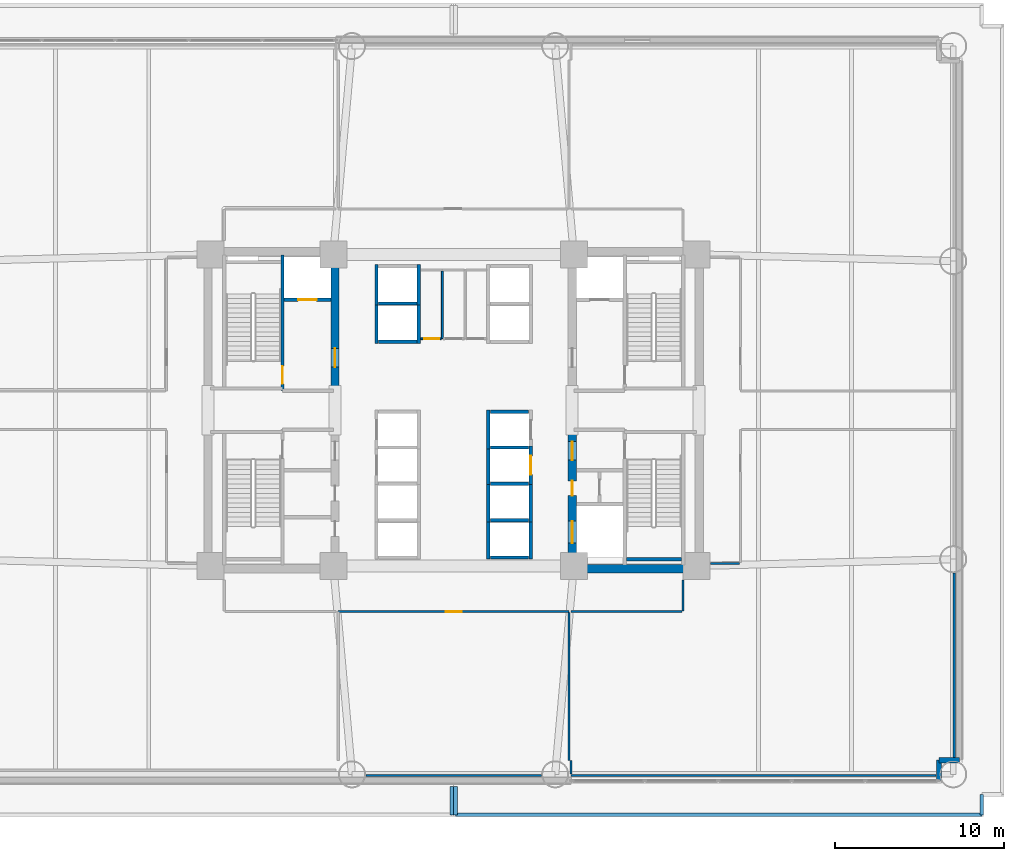
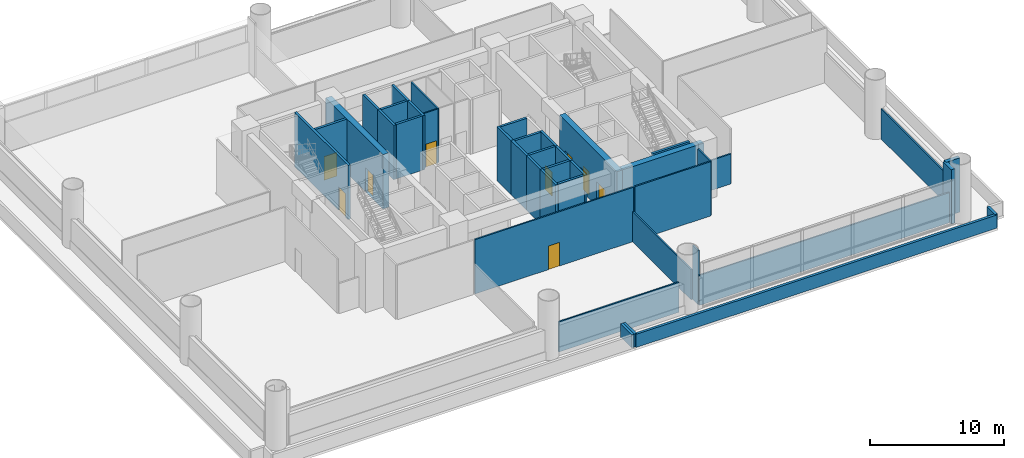
# One storey, part 6 of 12: 41 walls, 9 doors, 9 openings.
"""IFC4 building model written with IfcOpenShell, lengths in metres."""

from ifc_helpers import new_model, si_unit, direction, frame, frame_2d, origin, place, context, subcontext, project, spatial, rectangle, extrude, source, transform, mapped, material, layer, layer_set, type_object, element, fill, save


model = new_model("IFC4")

# Units and contexts
model_context = context("Model", 3, precision=1e-05, world=origin(), true_north=direction((0.0, 1.0)))
body_context = subcontext(model_context, "Body", "Model", "MODEL_VIEW")
ifc_project = project(units=[si_unit("LENGTHUNIT", "METRE"), si_unit("AREAUNIT", "SQUARE_METRE"), si_unit("VOLUMEUNIT", "CUBIC_METRE"), si_unit("PLANEANGLEUNIT", "RADIAN"), si_unit("MASSUNIT", "GRAM", prefix="KILO")], contexts=[model_context])

# Site, building, storey
site_placement = place(None, origin())
site = spatial("IfcSite", under=ifc_project, at=site_placement, CompositionType="ELEMENT")
building_placement = place(site_placement, origin())
building = spatial("IfcBuilding", under=site, at=building_placement, Name="Zahravan Cultural Tower", CompositionType="ELEMENT")
storey_placement = place(building_placement, frame((0.0, 0.0, 18.0)))
storey = spatial("IfcBuildingStorey", under=building, at=storey_placement, Name="L03", CompositionType="ELEMENT", Elevation=18.0)

# Wall, opening, door
ifc_material_1 = material(Name="Concrete C60/75", Category="concrete")
ifc_layer_1 = layer(ifc_material_1, 0.5)
ifc_layer_set_1 = layer_set([ifc_layer_1], Name="Concrete C60/75")
wall_type_1 = type_object("IfcWallType", Name="CW-SHEAR-500-C60", PredefinedType="SHEAR", material=ifc_layer_set_1)
wall_1_placement = place(storey_placement, frame((29.0, 28.050048828125, 0.0), z_axis=(0.0, 0.0, 1.0), x_axis=(0.0, 1.0, 0.0)))
wall_1 = element("IfcWall", 1, at=wall_1_placement, inside=storey, type_object=wall_type_1, Name="L03 Core Shear Wall CW-W-EN-L03", PredefinedType="SHEAR", context=body_context, shape_type="SweptSolid", body=[
    extrude(rectangle(XDim=8.550048828125, YDim=0.5, at=frame_2d((4.27490234375, 0.0))), origin(), (0.0, 0.0, 1.0), 4.949951171875),
])
opening_1_placement = place(wall_1_placement, frame((1.5, 0.0, 0.0)))
opening_1 = element("IfcOpeningElement", 2, at=opening_1_placement, cuts=wall_1, Name="Opening D-L03-05", PredefinedType="OPENING", context=body_context, shape_type="SweptSolid", body=[
    extrude(rectangle(XDim=1.10009765625, YDim=2.199951171875, at=frame_2d((0.550048828125, 1.10009765625))), frame((0.0, 0.260009765625, 0.0), z_axis=(0.0, -1.0, 0.0), x_axis=(1.0, 0.0, 0.0)), (0.0, 0.0, 1.0), 0.52001953125),
])
ifc_material_2 = material(Name="Steel ASTM A572 Grade 50", Category="steel")
door_type_1 = type_object("IfcDoorType", Name="DR-LOBBY-1100", OperationType="NOTDEFINED", PredefinedType="DOOR", material=ifc_material_2)
shared_shape_1 = source(origin(), body_context, "Body", "SweptSolid", [
    extrude(rectangle(XDim=1.10009765625, YDim=2.199951171875, at=frame_2d((0.550048828125, 1.10009765625))), frame((0.0, 0.02490234375, 0.0), z_axis=(0.0, -1.0, 0.0), x_axis=(1.0, 0.0, 0.0)), (0.0, 0.0, 1.0), 0.050048828125),
])
door_1_placement = place(opening_1_placement, origin())
door_1 = element("IfcDoor", 3, at=door_1_placement, inside=storey, type_object=door_type_1, Name="L03 Door D-L03-05", OperationType="SINGLE_SWING_LEFT", OverallHeight=2.199951171875, OverallWidth=1.10009765625, PredefinedType="DOOR", context=body_context, shape_type="MappedRepresentation", body=[
    mapped(shared_shape_1, transform((0.0, 0.0, 0.0), x_axis=(1.0, 0.0, 0.0), y_axis=(0.0, 1.0, 0.0), z_axis=(0.0, 0.0, 1.0), scale=1.0)),
])
fill(opening_1, door_1)

# Wall, openings, doors
wall_2_placement = place(storey_placement, frame((43.0, 17.39990234375, 0.0), z_axis=(0.0, 0.0, 1.0), x_axis=(0.0, 1.0, 0.0)))
wall_2 = element("IfcWall", 4, at=wall_2_placement, inside=storey, type_object=wall_type_1, Name="L03 Core Shear Wall CW-E-WS-L03", PredefinedType="SHEAR", context=body_context, shape_type="SweptSolid", body=[
    extrude(rectangle(XDim=8.550048828125, YDim=0.5, at=frame_2d((4.27490234375, 0.0))), origin(), (0.0, 0.0, 1.0), 4.949951171875),
])
opening_2_placement = place(wall_2_placement, frame((6.64990234375, 0.0, 0.0)))
opening_2 = element("IfcOpeningElement", 5, at=opening_2_placement, cuts=wall_2, Name="Opening D-L03-08", PredefinedType="OPENING", context=body_context, shape_type="SweptSolid", body=[
    extrude(rectangle(XDim=1.10009765625, YDim=2.199951171875, at=frame_2d((0.550048828125, 1.10009765625))), frame((0.0, 0.260009765625, 0.0), z_axis=(0.0, -1.0, 0.0), x_axis=(1.0, 0.0, 0.0)), (0.0, 0.0, 1.0), 0.52001953125),
])
opening_3_placement = place(wall_2_placement, frame((1.75, 0.0, 0.0)))
opening_3 = element("IfcOpeningElement", 6, at=opening_3_placement, cuts=wall_2, Name="Opening LD-L03-03", PredefinedType="OPENING", context=body_context, shape_type="SweptSolid", body=[
    extrude(rectangle(XDim=1.300048828125, YDim=2.199951171875, at=frame_2d((0.64990234375, 1.10009765625))), frame((0.0, 0.260009765625, 0.0), z_axis=(0.0, -1.0, 0.0), x_axis=(1.0, 0.0, 0.0)), (0.0, 0.0, 1.0), 0.52001953125),
])
opening_4_placement = place(wall_2_placement, frame((4.550048828125, 0.0, 0.0)))
opening_4 = element("IfcOpeningElement", 7, at=opening_4_placement, cuts=wall_2, Name="Opening D-L03-11", PredefinedType="OPENING", context=body_context, shape_type="SweptSolid", body=[
    extrude(rectangle(XDim=0.8798828125, YDim=2.10009765625, at=frame_2d((0.43994140625, 1.050048828125))), frame((0.0, 0.260009765625, 0.0), z_axis=(0.0, -1.0, 0.0), x_axis=(1.0, 0.0, 0.0)), (0.0, 0.0, 1.0), 0.52001953125),
])
door_2_placement = place(opening_2_placement, origin())
door_2 = element("IfcDoor", 8, at=door_2_placement, inside=storey, type_object=door_type_1, Name="L03 Door D-L03-08", OperationType="SINGLE_SWING_RIGHT", OverallHeight=2.199951171875, OverallWidth=1.10009765625, PredefinedType="DOOR", context=body_context, shape_type="MappedRepresentation", body=[
    mapped(shared_shape_1, transform((0.0, 0.0, 0.0), x_axis=(1.0, 0.0, 0.0), y_axis=(0.0, 1.0, 0.0), z_axis=(0.0, 0.0, 1.0), scale=1.0)),
])
fill(opening_2, door_2)
door_type_2 = type_object("IfcDoorType", Name="DR-LIFT-1300", OperationType="DOUBLE_DOOR_SLIDING", PredefinedType="DOOR", material=ifc_material_2)
shared_shape_2 = source(origin(), body_context, "Body", "SweptSolid", [
    extrude(rectangle(XDim=1.300048828125, YDim=2.199951171875, at=frame_2d((0.64990234375, 1.10009765625))), frame((0.0, 0.02490234375, 0.0), z_axis=(0.0, -1.0, 0.0), x_axis=(1.0, 0.0, 0.0)), (0.0, 0.0, 1.0), 0.050048828125),
])
door_3_placement = place(opening_3_placement, origin())
door_3 = element("IfcDoor", 9, at=door_3_placement, inside=storey, type_object=door_type_2, Name="L03 Door LD-L03-03", OperationType="DOUBLE_DOOR_SLIDING", OverallHeight=2.199951171875, OverallWidth=1.300048828125, PredefinedType="DOOR", context=body_context, shape_type="MappedRepresentation", body=[
    mapped(shared_shape_2, transform((0.0, 0.0, 0.0), x_axis=(1.0, 0.0, 0.0), y_axis=(0.0, 1.0, 0.0), z_axis=(0.0, 0.0, 1.0), scale=1.0)),
])
fill(opening_3, door_3)
door_type_3 = type_object("IfcDoorType", Name="DR-SVC-880", OperationType="NOTDEFINED", PredefinedType="DOOR", material=ifc_material_2)
shared_shape_3 = source(origin(), body_context, "Body", "SweptSolid", [
    extrude(rectangle(XDim=0.8798828125, YDim=2.10009765625, at=frame_2d((0.43994140625, 1.050048828125))), frame((0.0, 0.02490234375, 0.0), z_axis=(0.0, -1.0, 0.0), x_axis=(1.0, 0.0, 0.0)), (0.0, 0.0, 1.0), 0.050048828125),
])
door_4_placement = place(opening_4_placement, origin())
door_4 = element("IfcDoor", 10, at=door_4_placement, inside=storey, type_object=door_type_3, Name="L03 Door D-L03-11", OperationType="SINGLE_SWING_LEFT", OverallHeight=2.10009765625, OverallWidth=0.8798828125, PredefinedType="DOOR", context=body_context, shape_type="MappedRepresentation", body=[
    mapped(shared_shape_3, transform((0.0, 0.0, 0.0), x_axis=(1.0, 0.0, 0.0), y_axis=(0.0, 1.0, 0.0), z_axis=(0.0, 0.0, 1.0), scale=1.0)),
])
fill(opening_4, door_4)

# Wall, opening, door
ifc_material_3 = material(Name="Gypsum plasterboard partition")
ifc_layer_2 = layer(ifc_material_3, 0.125)
ifc_layer_set_2 = layer_set([ifc_layer_2], Name="Gypsum plasterboard partition")
wall_type_2 = type_object("IfcWallType", Name="W-PART-125", PredefinedType="PARTITIONING", material=ifc_layer_set_2)
wall_3_placement = place(storey_placement, frame((29.18994140625, 15.110107421875, 0.0), z_axis=(0.0, 0.0, 1.0), x_axis=(1.0, 0.0, 0.0)))
wall_3 = element("IfcWall", 11, at=wall_3_placement, inside=storey, type_object=wall_type_2, Name="L03 Interior Wall 078", PredefinedType="PARTITIONING", context=body_context, shape_type="SweptSolid", body=[
    extrude(rectangle(XDim=13.6201171875, YDim=0.125, at=frame_2d((6.81005859375, 0.0))), origin(), (0.0, 0.0, 1.0), 4.949951171875),
])
opening_5_placement = place(wall_3_placement, frame((6.3349609375, 0.0, 0.0)))
opening_5 = element("IfcOpeningElement", 12, at=opening_5_placement, cuts=wall_3, Name="Opening D-L03-20", PredefinedType="OPENING", context=body_context, shape_type="SweptSolid", body=[
    extrude(rectangle(XDim=0.949951171875, YDim=2.14990234375, at=frame_2d((0.47509765625, 1.074951171875))), frame((0.0, 0.072509765625, 0.0), z_axis=(0.0, -1.0, 0.0), x_axis=(1.0, 0.0, 0.0)), (0.0, 0.0, 1.0), 0.14501953125),
])
ifc_material_4 = material(Name="Anodised bronze-aluminium mullion", Category="aluminium")
door_type_4 = type_object("IfcDoorType", Name="DR-ROOM-950", OperationType="NOTDEFINED", PredefinedType="DOOR", material=ifc_material_4)
shared_shape_4 = source(origin(), body_context, "Body", "SweptSolid", [
    extrude(rectangle(XDim=0.949951171875, YDim=2.14990234375, at=frame_2d((0.47509765625, 1.074951171875))), frame((0.0, 0.02490234375, 0.0), z_axis=(0.0, -1.0, 0.0), x_axis=(1.0, 0.0, 0.0)), (0.0, 0.0, 1.0), 0.050048828125),
])
door_5_placement = place(opening_5_placement, origin())
door_5 = element("IfcDoor", 13, at=door_5_placement, inside=storey, type_object=door_type_4, Name="L03 Door D-L03-20", OperationType="SINGLE_SWING_RIGHT", OverallHeight=2.14990234375, OverallWidth=0.949951171875, PredefinedType="DOOR", context=body_context, shape_type="MappedRepresentation", body=[
    mapped(shared_shape_4, transform((0.0, 0.0, 0.0), x_axis=(1.0, 0.0, 0.0), y_axis=(0.0, 1.0, 0.0), z_axis=(0.0, 0.0, 1.0), scale=1.0)),
])
fill(opening_5, door_5)

ifc_material_5 = material(Name="Concrete C45/55", Category="concrete")
ifc_layer_3 = layer(ifc_material_5, 0.199951171875)
ifc_layer_set_3 = layer_set([ifc_layer_3], Name="Concrete C45/55")
wall_type_3 = type_object("IfcWallType", Name="W-SHAFT-200", PredefinedType="SOLIDWALL", material=ifc_layer_set_3)
wall_4_placement = place(storey_placement, frame((25.89990234375, 28.14990234375, 0.0), z_axis=(0.0, 0.0, 1.0), x_axis=(0.0, 1.0, 0.0)))
wall_4 = element("IfcWall", 14, at=wall_4_placement, inside=storey, type_object=wall_type_3, Name="L03 Interior Wall 006", PredefinedType="SOLIDWALL", context=body_context, shape_type="SweptSolid", body=[
    extrude(rectangle(XDim=8.0, YDim=0.199951171875, at=frame_2d((4.0, 0.0))), origin(), (0.0, 0.0, 1.0), 4.949951171875),
])
opening_6_placement = place(wall_4_placement, frame((0.39990234375, 0.0, 0.0)))
opening_6 = element("IfcOpeningElement", 15, at=opening_6_placement, cuts=wall_4, Name="Opening D-L03-01", PredefinedType="OPENING", context=body_context, shape_type="SweptSolid", body=[
    extrude(rectangle(XDim=1.050048828125, YDim=2.14990234375, at=frame_2d((0.52490234375, 1.074951171875))), frame((0.0, 0.10986328125, 0.0), z_axis=(0.0, -1.0, 0.0), x_axis=(1.0, 0.0, 0.0)), (0.0, 0.0, 1.0), 0.219970703125),
])
door_type_5 = type_object("IfcDoorType", Name="DR-STAIR-1050", OperationType="NOTDEFINED", PredefinedType="DOOR", material=ifc_material_2)
shared_shape_5 = source(origin(), body_context, "Body", "SweptSolid", [
    extrude(rectangle(XDim=1.050048828125, YDim=2.14990234375, at=frame_2d((0.52490234375, 1.074951171875))), frame((0.0, 0.02490234375, 0.0), z_axis=(0.0, -1.0, 0.0), x_axis=(1.0, 0.0, 0.0)), (0.0, 0.0, 1.0), 0.050048828125),
])
door_6_placement = place(opening_6_placement, origin())
door_6 = element("IfcDoor", 16, at=door_6_placement, inside=storey, type_object=door_type_5, Name="L03 Door D-L03-01", OperationType="SINGLE_SWING_LEFT", OverallHeight=2.14990234375, OverallWidth=1.050048828125, PredefinedType="DOOR", context=body_context, shape_type="MappedRepresentation", body=[
    mapped(shared_shape_5, transform((0.0, 0.0, 0.0), x_axis=(1.0, 0.0, 0.0), y_axis=(0.0, 1.0, 0.0), z_axis=(0.0, 0.0, 1.0), scale=1.0)),
])
fill(opening_6, door_6)

wall_5_placement = place(storey_placement, frame((26.0, 33.52001953125, 0.0), z_axis=(0.0, 0.0, 1.0), x_axis=(1.0, 0.0, 0.0)))
wall_5 = element("IfcWall", 17, at=wall_5_placement, inside=storey, type_object=wall_type_3, Name="L03 Interior Wall 021", PredefinedType="SOLIDWALL", context=body_context, shape_type="SweptSolid", body=[
    extrude(rectangle(XDim=2.75, YDim=0.199951171875, at=frame_2d((1.375, 0.0))), origin(), (0.0, 0.0, 1.0), 4.949951171875),
])
opening_7_placement = place(wall_5_placement, frame((0.820068359375, 0.0, 0.0)))
opening_7 = element("IfcOpeningElement", 18, at=opening_7_placement, cuts=wall_5, Name="Opening LD-L03-01", PredefinedType="OPENING", context=body_context, shape_type="SweptSolid", body=[
    extrude(rectangle(XDim=1.10009765625, YDim=2.14990234375, at=frame_2d((0.550048828125, 1.074951171875))), frame((0.0, 0.10986328125, 0.0), z_axis=(0.0, -1.0, 0.0), x_axis=(1.0, 0.0, 0.0)), (0.0, 0.0, 1.0), 0.219970703125),
])
door_type_6 = type_object("IfcDoorType", Name="DR-LIFT-1100", OperationType="DOUBLE_DOOR_SLIDING", PredefinedType="DOOR", material=ifc_material_2)
shared_shape_6 = source(origin(), body_context, "Body", "SweptSolid", [
    extrude(rectangle(XDim=1.10009765625, YDim=2.14990234375, at=frame_2d((0.550048828125, 1.074951171875))), frame((0.0, 0.02490234375, 0.0), z_axis=(0.0, -1.0, 0.0), x_axis=(1.0, 0.0, 0.0)), (0.0, 0.0, 1.0), 0.050048828125),
])
door_7_placement = place(opening_7_placement, origin())
door_7 = element("IfcDoor", 19, at=door_7_placement, inside=storey, type_object=door_type_6, Name="L03 Door LD-L03-01", OperationType="DOUBLE_DOOR_SLIDING", OverallHeight=2.14990234375, OverallWidth=1.10009765625, PredefinedType="DOOR", context=body_context, shape_type="MappedRepresentation", body=[
    mapped(shared_shape_6, transform((0.0, 0.0, 0.0), x_axis=(1.0, 0.0, 0.0), y_axis=(0.0, 1.0, 0.0), z_axis=(0.0, 0.0, 1.0), scale=1.0)),
])
fill(opening_7, door_7)

wall_6_placement = place(storey_placement, frame((40.550048828125, 22.60009765625, 0.0), z_axis=(0.0, 0.0, 1.0), x_axis=(0.0, 1.0, 0.0)))
wall_6 = element("IfcWall", 20, at=wall_6_placement, inside=storey, type_object=wall_type_3, Name="L03 Interior Wall 067", PredefinedType="SOLIDWALL", context=body_context, shape_type="SweptSolid", body=[
    extrude(rectangle(XDim=2.2998046875, YDim=0.199951171875, at=frame_2d((1.14990234375, 0.0))), origin(), (0.0, 0.0, 1.0), 4.949951171875),
])
opening_8_placement = place(wall_6_placement, frame((0.60009765625, 0.0, 0.0)))
opening_8 = element("IfcOpeningElement", 21, at=opening_8_placement, cuts=wall_6, Name="Opening LD-L03-07", PredefinedType="OPENING", context=body_context, shape_type="SweptSolid", body=[
    extrude(rectangle(XDim=1.10009765625, YDim=2.14990234375, at=frame_2d((0.550048828125, 1.074951171875))), frame((0.0, 0.10986328125, 0.0), z_axis=(0.0, -1.0, 0.0), x_axis=(1.0, 0.0, 0.0)), (0.0, 0.0, 1.0), 0.219970703125),
])
door_8_placement = place(opening_8_placement, origin())
door_8 = element("IfcDoor", 22, at=door_8_placement, inside=storey, type_object=door_type_6, Name="L03 Door LD-L03-07", OperationType="DOUBLE_DOOR_SLIDING", OverallHeight=2.14990234375, OverallWidth=1.10009765625, PredefinedType="DOOR", context=body_context, shape_type="MappedRepresentation", body=[
    mapped(shared_shape_6, transform((0.0, 0.0, 0.0), x_axis=(1.0, 0.0, 0.0), y_axis=(0.0, 1.0, 0.0), z_axis=(0.0, 0.0, 1.0), scale=1.0)),
])
fill(opening_8, door_8)

ifc_layer_4 = layer(ifc_material_3, 0.114990234375)
ifc_layer_set_4 = layer_set([ifc_layer_4], Name="Gypsum plasterboard partition")
wall_type_4 = type_object("IfcWallType", Name="W-WC-115", PredefinedType="PARTITIONING", material=ifc_layer_set_4)
wall_7_placement = place(storey_placement, frame((35.277587890625, 31.219970703125, 0.0), z_axis=(0.0, 0.0, 1.0), x_axis=(-1.0, 0.0, 0.0)))
wall_7 = element("IfcWall", 23, at=wall_7_placement, inside=storey, type_object=wall_type_4, Name="L03 Interior Wall 073", PredefinedType="PARTITIONING", context=body_context, shape_type="SweptSolid", body=[
    extrude(rectangle(XDim=1.22265625, YDim=0.114990234375, at=frame_2d((0.611328125, 0.0))), origin(), (0.0, 0.0, 1.0), 4.949951171875),
])
opening_9_placement = place(wall_7_placement, frame((0.10986328125, 0.0, 0.0)))
opening_9 = element("IfcOpeningElement", 24, at=opening_9_placement, cuts=wall_7, Name="Opening D-L03-13", PredefinedType="OPENING", context=body_context, shape_type="SweptSolid", body=[
    extrude(rectangle(XDim=0.89990234375, YDim=2.10009765625, at=frame_2d((0.449951171875, 1.050048828125))), frame((0.0, 0.0673828125, 0.0), z_axis=(0.0, -1.0, 0.0), x_axis=(1.0, 0.0, 0.0)), (0.0, 0.0, 1.0), 0.135009765625),
])
door_type_7 = type_object("IfcDoorType", Name="DR-WC-900", OperationType="NOTDEFINED", PredefinedType="DOOR", material=ifc_material_4)
shared_shape_7 = source(origin(), body_context, "Body", "SweptSolid", [
    extrude(rectangle(XDim=0.89990234375, YDim=2.10009765625, at=frame_2d((0.449951171875, 1.050048828125))), frame((0.0, 0.02490234375, 0.0), z_axis=(0.0, -1.0, 0.0), x_axis=(1.0, 0.0, 0.0)), (0.0, 0.0, 1.0), 0.050048828125),
])
door_9_placement = place(opening_9_placement, origin())
door_9 = element("IfcDoor", 25, at=door_9_placement, inside=storey, type_object=door_type_7, Name="L03 Door D-L03-13", OperationType="SINGLE_SWING_LEFT", OverallHeight=2.10009765625, OverallWidth=0.89990234375, PredefinedType="DOOR", context=body_context, shape_type="MappedRepresentation", body=[
    mapped(shared_shape_7, transform((0.0, 0.0, 0.0), x_axis=(1.0, 0.0, 0.0), y_axis=(0.0, 1.0, 0.0), z_axis=(0.0, 0.0, 1.0), scale=1.0)),
])
fill(opening_9, door_9)

# Walls
shared_shape_8 = source(origin(), body_context, "Body", "SweptSolid", [
    extrude(rectangle(XDim=7.0, YDim=0.5, at=frame_2d((3.5, 0.0))), origin(), (0.0, 0.0, 1.0), 4.949951171875),
])
wall_8_placement = place(storey_placement, frame((43.25, 17.64990234375, 0.0), z_axis=(0.0, 0.0, 1.0), x_axis=(1.0, 0.0, 0.0)))
element("IfcWall", 26, at=wall_8_placement, inside=storey, type_object=wall_type_1, Name="L03 Core Shear Wall CW-E-S-L03", PredefinedType="SHEAR", context=body_context, shape_type="MappedRepresentation", body=[
    mapped(shared_shape_8, transform((0.0, 0.0, 0.0), x_axis=(1.0, 0.0, 0.0), y_axis=(0.0, 1.0, 0.0), z_axis=(0.0, 0.0, 1.0), scale=1.0)),
])
ifc_material_6 = material(Name="Precast concrete C40/50", Category="concrete")
ifc_layer_5 = layer(ifc_material_6, 0.219970703125)
ifc_layer_set_5 = layer_set([ifc_layer_5], Name="Precast concrete C40/50")
wall_type_5 = type_object("IfcWallType", Name="EW-PARAPET-220", PredefinedType="PARAPET", material=ifc_layer_set_5)
shared_shape_9 = source(origin(), body_context, "Body", "SweptSolid", [
    extrude(rectangle(XDim=31.079833984375, YDim=0.219970703125, at=frame_2d((15.5400390625, 0.0))), origin(), (0.0, 0.0, 1.0), 1.199951171875),
])
wall_9_placement = place(storey_placement, frame((67.18994140625, 3.110107421875, 0.0), z_axis=(0.0, 0.0, 1.0), x_axis=(-1.0, 0.0, 0.0)))
element("IfcWall", 27, at=wall_9_placement, inside=storey, type_object=wall_type_5, Name="L03 Setback Roof Parapet 1", PredefinedType="PARAPET", context=body_context, shape_type="MappedRepresentation", body=[
    mapped(shared_shape_9, transform((0.0, 0.0, 0.0), x_axis=(1.0, 0.0, 0.0), y_axis=(0.0, 1.0, 0.0), z_axis=(0.0, 0.0, 1.0), scale=1.0)),
])
shared_shape_10 = source(origin(), body_context, "Body", "SweptSolid", [
    extrude(rectangle(XDim=1.199951171875, YDim=0.219970703125, at=frame_2d((0.60009765625, 0.0))), origin(), (0.0, 0.0, 1.0), 1.199951171875),
])
wall_10_placement = place(storey_placement, frame((67.18994140625, 4.31005859375, 0.0), z_axis=(0.0, 0.0, 1.0), x_axis=(0.0, -1.0, 0.0)))
element("IfcWall", 28, at=wall_10_placement, inside=storey, type_object=wall_type_5, Name="L03 Setback Roof Parapet 9", PredefinedType="PARAPET", context=body_context, shape_type="MappedRepresentation", body=[
    mapped(shared_shape_10, transform((0.0, 0.0, 0.0), x_axis=(1.0, 0.0, 0.0), y_axis=(0.0, 1.0, 0.0), z_axis=(0.0, 0.0, 1.0), scale=1.0)),
])
shared_shape_11 = source(origin(), body_context, "Body", "SweptSolid", [
    extrude(rectangle(XDim=1.669921875, YDim=0.219970703125, at=frame_2d((0.8349609375, 0.0))), origin(), (0.0, 0.0, 1.0), 1.199951171875),
])
for number, where, z_axis, x_axis, name in (
    (29, (35.889892578125, 4.780029296875, 0.0), (0.0, 0.0, 1.0), (0.0, -1.0, 0.0), "L03 Setback Roof Parapet 9"),
    (30, (36.110107421875, 3.110107421875, 0.0), (0.0, 0.0, 1.0), (0.0, 1.0, 0.0), "L03 Setback Roof Parapet 2"),
):
    element("IfcWall", number, at=place(storey_placement, frame(where, z_axis=z_axis, x_axis=x_axis)), inside=storey, type_object=wall_type_5, Name=name, PredefinedType="PARAPET", context=body_context, shape_type="MappedRepresentation", body=[
        mapped(shared_shape_11, transform((0.0, 0.0, 0.0), x_axis=(1.0, 0.0, 0.0), y_axis=(0.0, 1.0, 0.0), z_axis=(0.0, 0.0, 1.0), scale=1.0)),
    ])
ifc_layer_6 = layer(ifc_material_6, 0.320068359375)
ifc_layer_set_6 = layer_set([ifc_layer_6], Name="Precast concrete C40/50")
wall_type_6 = type_object("IfcWallType", Name="EW-TC-320", PredefinedType="SOLIDWALL", material=ifc_layer_set_6)
shared_shape_12 = source(origin(), body_context, "Body", "SweptSolid", [
    extrude(rectangle(XDim=1.2001953125, YDim=0.320068359375, at=frame_2d((0.60009765625, 0.0))), origin(), (0.0, 0.0, 1.0), 4.949951171875),
])
for number, where, z_axis, x_axis, name in (
    (31, (65.860107421875, 6.340087890625, 0.0), (0.0, 0.0, 1.0), (-1.0, 0.0, 0.0), "L03 Exterior Masonry Frame Wall 02"),
    (32, (64.659912109375, 6.340087890625, 0.0), (0.0, 0.0, 1.0), (0.0, -1.0, 0.0), "L03 Exterior Masonry Frame Wall 03"),
):
    element("IfcWall", number, at=place(storey_placement, frame(where, z_axis=z_axis, x_axis=x_axis)), inside=storey, type_object=wall_type_6, Name=name, PredefinedType="SOLIDWALL", context=body_context, shape_type="MappedRepresentation", body=[
        mapped(shared_shape_12, transform((0.0, 0.0, 0.0), x_axis=(1.0, 0.0, 0.0), y_axis=(0.0, 1.0, 0.0), z_axis=(0.0, 0.0, 1.0), scale=1.0)),
    ])
shared_shape_13 = source(origin(), body_context, "Body", "SweptSolid", [
    extrude(rectangle(XDim=3.25, YDim=0.199951171875, at=frame_2d((1.625, 0.0))), origin(), (0.0, 0.0, 1.0), 4.949951171875),
])
wall_11_placement = place(storey_placement, frame((46.199951171875, 18.199951171875, 0.0), z_axis=(0.0, 0.0, 1.0), x_axis=(1.0, 0.0, 0.0)))
element("IfcWall", 33, at=wall_11_placement, inside=storey, type_object=wall_type_3, Name="L03 Interior Wall 020", PredefinedType="SOLIDWALL", context=body_context, shape_type="MappedRepresentation", body=[
    mapped(shared_shape_13, transform((0.0, 0.0, 0.0), x_axis=(1.0, 0.0, 0.0), y_axis=(0.0, 1.0, 0.0), z_axis=(0.0, 0.0, 1.0), scale=1.0)),
])
shared_shape_14 = source(origin(), body_context, "Body", "SweptSolid", [
    extrude(rectangle(XDim=2.400146484375, YDim=0.199951171875, at=frame_2d((1.2001953125, 0.0))), origin(), (0.0, 0.0, 1.0), 4.949951171875),
])
for number, where, z_axis, x_axis, name in (
    (34, (31.449951171875, 33.199951171875, 0.0), (0.0, 0.0, 1.0), (0.0, 1.0, 0.0), "L03 Interior Wall 028"),
    (35, (33.949951171875, 33.199951171875, 0.0), (0.0, 0.0, 1.0), (0.0, 1.0, 0.0), "L03 Interior Wall 029"),
    (36, (31.449951171875, 30.949951171875, 0.0), (0.0, 0.0, 1.0), (0.0, 1.0, 0.0), "L03 Interior Wall 032"),
    (37, (33.949951171875, 30.949951171875, 0.0), (0.0, 0.0, 1.0), (0.0, 1.0, 0.0), "L03 Interior Wall 033"),
):
    element("IfcWall", number, at=place(storey_placement, frame(where, z_axis=z_axis, x_axis=x_axis)), inside=storey, type_object=wall_type_3, Name=name, PredefinedType="SOLIDWALL", context=body_context, shape_type="MappedRepresentation", body=[
        mapped(shared_shape_14, transform((0.0, 0.0, 0.0), x_axis=(1.0, 0.0, 0.0), y_axis=(0.0, 1.0, 0.0), z_axis=(0.0, 0.0, 1.0), scale=1.0)),
    ])
shared_shape_15 = source(origin(), body_context, "Body", "SweptSolid", [
    extrude(rectangle(XDim=2.260009765625, YDim=0.199951171875, at=frame_2d((1.1298828125, 0.0))), origin(), (0.0, 0.0, 1.0), 4.949951171875),
])
for number, where, z_axis, x_axis, name in (
    (38, (31.570068359375, 33.300048828125, 0.0), (0.0, 0.0, 1.0), (1.0, 0.0, 0.0), "L03 Interior Wall 030"),
    (39, (31.570068359375, 31.050048828125, 0.0), (0.0, 0.0, 1.0), (1.0, 0.0, 0.0), "L03 Interior Wall 034"),
    (40, (38.169921875, 20.5, 0.0), (0.0, 0.0, 1.0), (1.0, 0.0, 0.0), "L03 Interior Wall 051"),
    (41, (38.169921875, 22.64990234375, 0.0), (0.0, 0.0, 1.0), (1.0, 0.0, 0.0), "L03 Interior Wall 052"),
    (42, (38.169921875, 18.300048828125, 0.0), (0.0, 0.0, 1.0), (1.0, 0.0, 0.0), "L03 Interior Wall 055"),
    (43, (38.169921875, 24.800048828125, 0.0), (0.0, 0.0, 1.0), (1.0, 0.0, 0.0), "L03 Interior Wall 064"),
    (44, (38.169921875, 26.89990234375, 0.0), (0.0, 0.0, 1.0), (1.0, 0.0, 0.0), "L03 Interior Wall 065"),
):
    element("IfcWall", number, at=place(storey_placement, frame(where, z_axis=z_axis, x_axis=x_axis)), inside=storey, type_object=wall_type_3, Name=name, PredefinedType="SOLIDWALL", context=body_context, shape_type="MappedRepresentation", body=[
        mapped(shared_shape_15, transform((0.0, 0.0, 0.0), x_axis=(1.0, 0.0, 0.0), y_axis=(0.0, 1.0, 0.0), z_axis=(0.0, 0.0, 1.0), scale=1.0)),
    ])
shared_shape_16 = source(origin(), body_context, "Body", "SweptSolid", [
    extrude(rectangle(XDim=2.35009765625, YDim=0.199951171875, at=frame_2d((1.175048828125, 0.0))), origin(), (0.0, 0.0, 1.0), 4.949951171875),
])
for number, where, z_axis, x_axis, name in (
    (45, (38.050048828125, 20.39990234375, 0.0), (0.0, 0.0, 1.0), (0.0, 1.0, 0.0), "L03 Interior Wall 049"),
    (46, (40.550048828125, 20.39990234375, 0.0), (0.0, 0.0, 1.0), (0.0, 1.0, 0.0), "L03 Interior Wall 050"),
    (47, (38.050048828125, 18.199951171875, 0.0), (0.0, 0.0, 1.0), (0.0, 1.0, 0.0), "L03 Interior Wall 053"),
    (48, (40.550048828125, 18.199951171875, 0.0), (0.0, 0.0, 1.0), (0.0, 1.0, 0.0), "L03 Interior Wall 054"),
):
    element("IfcWall", number, at=place(storey_placement, frame(where, z_axis=z_axis, x_axis=x_axis)), inside=storey, type_object=wall_type_3, Name=name, PredefinedType="SOLIDWALL", context=body_context, shape_type="MappedRepresentation", body=[
        mapped(shared_shape_16, transform((0.0, 0.0, 0.0), x_axis=(1.0, 0.0, 0.0), y_axis=(0.0, 1.0, 0.0), z_axis=(0.0, 0.0, 1.0), scale=1.0)),
    ])
shared_shape_17 = source(origin(), body_context, "Body", "SweptSolid", [
    extrude(rectangle(XDim=2.300048828125, YDim=0.199951171875, at=frame_2d((1.14990234375, 0.0))), origin(), (0.0, 0.0, 1.0), 4.949951171875),
])
wall_12_placement = place(storey_placement, frame((38.050048828125, 24.699951171875, 0.0), z_axis=(0.0, 0.0, 1.0), x_axis=(0.0, 1.0, 0.0)))
element("IfcWall", 49, at=wall_12_placement, inside=storey, type_object=wall_type_3, Name="L03 Interior Wall 062", PredefinedType="SOLIDWALL", context=body_context, shape_type="MappedRepresentation", body=[
    mapped(shared_shape_17, transform((0.0, 0.0, 0.0), x_axis=(1.0, 0.0, 0.0), y_axis=(0.0, 1.0, 0.0), z_axis=(0.0, 0.0, 1.0), scale=1.0)),
])
shared_shape_18 = source(origin(), body_context, "Body", "SweptSolid", [
    extrude(rectangle(XDim=2.2998046875, YDim=0.199951171875, at=frame_2d((1.14990234375, 0.0))), origin(), (0.0, 0.0, 1.0), 4.949951171875),
])
wall_13_placement = place(storey_placement, frame((38.050048828125, 22.60009765625, 0.0), z_axis=(0.0, 0.0, 1.0), x_axis=(0.0, 1.0, 0.0)))
element("IfcWall", 50, at=wall_13_placement, inside=storey, type_object=wall_type_3, Name="L03 Interior Wall 066", PredefinedType="SOLIDWALL", context=body_context, shape_type="MappedRepresentation", body=[
    mapped(shared_shape_18, transform((0.0, 0.0, 0.0), x_axis=(1.0, 0.0, 0.0), y_axis=(0.0, 1.0, 0.0), z_axis=(0.0, 0.0, 1.0), scale=1.0)),
])
shared_shape_19 = source(origin(), body_context, "Body", "SweptSolid", [
    extrude(rectangle(XDim=3.99755859375, YDim=0.114990234375, at=frame_2d((1.998779296875, 0.0))), origin(), (0.0, 0.0, 1.0), 4.949951171875),
])
wall_14_placement = place(storey_placement, frame((35.340087890625, 35.217529296875, 0.0), z_axis=(0.0, 0.0, 1.0), x_axis=(0.0, -1.0, 0.0)))
element("IfcWall", 51, at=wall_14_placement, inside=storey, type_object=wall_type_4, Name="L03 Interior Wall 072", PredefinedType="PARTITIONING", context=body_context, shape_type="MappedRepresentation", body=[
    mapped(shared_shape_19, transform((0.0, 0.0, 0.0), x_axis=(1.0, 0.0, 0.0), y_axis=(0.0, 1.0, 0.0), z_axis=(0.0, 0.0, 1.0), scale=1.0)),
])
shared_shape_20 = source(origin(), body_context, "Body", "SweptSolid", [
    extrude(rectangle(XDim=10.35986328125, YDim=0.125, at=frame_2d((5.179931640625, 0.0))), origin(), (0.0, 0.0, 1.0), 2.741943359375),
])
wall_15_placement = place(storey_placement, frame((41.179931640625, 5.43994140625, 0.0), z_axis=(0.0, 0.0, 1.0), x_axis=(-1.0, 0.0, 0.0)))
element("IfcWall", 52, at=wall_15_placement, inside=storey, type_object=wall_type_2, Name="L03 Interior Wall 076", PredefinedType="PARTITIONING", context=body_context, shape_type="MappedRepresentation", body=[
    mapped(shared_shape_20, transform((0.0, 0.0, 0.0), x_axis=(1.0, 0.0, 0.0), y_axis=(0.0, 1.0, 0.0), z_axis=(0.0, 0.0, 1.0), scale=1.0)),
])
shared_shape_21 = source(origin(), body_context, "Body", "SweptSolid", [
    extrude(rectangle(XDim=8.722412109375, YDim=0.125, at=frame_2d((4.361328125, 0.0))), origin(), (0.0, 0.0, 1.0), 2.741943359375),
])
wall_16_placement = place(storey_placement, frame((42.81005859375, 15.04248046875, 0.0), z_axis=(0.0, 0.0, 1.0), x_axis=(0.0, -1.0, 0.0)))
element("IfcWall", 53, at=wall_16_placement, inside=storey, type_object=wall_type_2, Name="L03 Interior Wall 079", PredefinedType="PARTITIONING", context=body_context, shape_type="MappedRepresentation", body=[
    mapped(shared_shape_21, transform((0.0, 0.0, 0.0), x_axis=(1.0, 0.0, 0.0), y_axis=(0.0, 1.0, 0.0), z_axis=(0.0, 0.0, 1.0), scale=1.0)),
])
shared_shape_22 = source(origin(), body_context, "Body", "SweptSolid", [
    extrude(rectangle(XDim=21.55517578125, YDim=0.125, at=frame_2d((10.777587890625, 0.0))), origin(), (0.0, 0.0, 1.0), 2.741943359375),
])
wall_17_placement = place(storey_placement, frame((64.4951171875, 5.43994140625, 0.0), z_axis=(0.0, 0.0, 1.0), x_axis=(-1.0, 0.0, 0.0)))
element("IfcWall", 54, at=wall_17_placement, inside=storey, type_object=wall_type_2, Name="L03 Interior Wall 101", PredefinedType="PARTITIONING", context=body_context, shape_type="MappedRepresentation", body=[
    mapped(shared_shape_22, transform((0.0, 0.0, 0.0), x_axis=(1.0, 0.0, 0.0), y_axis=(0.0, 1.0, 0.0), z_axis=(0.0, 0.0, 1.0), scale=1.0)),
])
shared_shape_23 = source(origin(), body_context, "Body", "SweptSolid", [
    extrude(rectangle(XDim=10.875, YDim=0.125, at=frame_2d((5.4375, 0.0))), origin(), (0.0, 0.0, 1.0), 2.741943359375),
])
wall_18_placement = place(storey_placement, frame((65.56005859375, 17.3798828125, 0.0), z_axis=(0.0, 0.0, 1.0), x_axis=(0.0, -1.0, 0.0)))
element("IfcWall", 55, at=wall_18_placement, inside=storey, type_object=wall_type_2, Name="L03 Interior Wall 109", PredefinedType="PARTITIONING", context=body_context, shape_type="MappedRepresentation", body=[
    mapped(shared_shape_23, transform((0.0, 0.0, 0.0), x_axis=(1.0, 0.0, 0.0), y_axis=(0.0, 1.0, 0.0), z_axis=(0.0, 0.0, 1.0), scale=1.0)),
])
shared_shape_24 = source(origin(), body_context, "Body", "SweptSolid", [
    extrude(rectangle(XDim=1.72412109375, YDim=0.125, at=frame_2d((0.862060546875, 0.0))), origin(), (0.0, 0.0, 1.0), 2.741943359375),
])
wall_19_placement = place(storey_placement, frame((51.169921875, 17.9599609375, 0.0), z_axis=(0.0, 0.0, 1.0), x_axis=(1.0, 0.0, 0.0)))
element("IfcWall", 56, at=wall_19_placement, inside=storey, type_object=wall_type_2, Name="L03 Interior Wall 105", PredefinedType="PARTITIONING", context=body_context, shape_type="MappedRepresentation", body=[
    mapped(shared_shape_24, transform((0.0, 0.0, 0.0), x_axis=(1.0, 0.0, 0.0), y_axis=(0.0, 1.0, 0.0), z_axis=(0.0, 0.0, 1.0), scale=1.0)),
])
shared_shape_25 = source(origin(), body_context, "Body", "SweptSolid", [
    extrude(rectangle(XDim=6.55419921875, YDim=0.125, at=frame_2d((3.277099609375, 0.0))), origin(), (0.0, 0.0, 1.0), 4.949951171875),
])
wall_20_placement = place(storey_placement, frame((42.93994140625, 15.110107421875, 0.0), z_axis=(0.0, 0.0, 1.0), x_axis=(1.0, 0.0, 0.0)))
element("IfcWall", 57, at=wall_20_placement, inside=storey, type_object=wall_type_2, Name="L03 Interior Wall 103", PredefinedType="PARTITIONING", context=body_context, shape_type="MappedRepresentation", body=[
    mapped(shared_shape_25, transform((0.0, 0.0, 0.0), x_axis=(1.0, 0.0, 0.0), y_axis=(0.0, 1.0, 0.0), z_axis=(0.0, 0.0, 1.0), scale=1.0)),
])
shared_shape_26 = source(origin(), body_context, "Body", "SweptSolid", [
    extrude(rectangle(XDim=0.8125, YDim=0.125, at=frame_2d((0.40625, 0.0))), origin(), (0.0, 0.0, 1.0), 4.949951171875),
])
wall_21_placement = place(storey_placement, frame((42.93994140625, 5.507568359375, 0.0), z_axis=(0.0, 0.0, 1.0), x_axis=(0.0, 1.0, 0.0)))
element("IfcWall", 58, at=wall_21_placement, inside=storey, type_object=wall_type_2, Name="L03 Interior Wall 102", PredefinedType="PARTITIONING", context=body_context, shape_type="MappedRepresentation", body=[
    mapped(shared_shape_26, transform((0.0, 0.0, 0.0), x_axis=(1.0, 0.0, 0.0), y_axis=(0.0, 1.0, 0.0), z_axis=(0.0, 0.0, 1.0), scale=1.0)),
])
shared_shape_27 = source(origin(), body_context, "Body", "SweptSolid", [
    extrude(rectangle(XDim=1.832275390625, YDim=0.125, at=frame_2d((0.916015625, 0.0))), origin(), (0.0, 0.0, 1.0), 4.949951171875),
])
wall_22_placement = place(storey_placement, frame((49.53955078125, 15.147705078125, 0.0), z_axis=(0.0, 0.0, 1.0), x_axis=(0.000133244502, 0.999999991123, 0.0)))
element("IfcWall", 59, at=wall_22_placement, inside=storey, type_object=wall_type_2, Name="L03 Interior Wall 104", PredefinedType="PARTITIONING", context=body_context, shape_type="MappedRepresentation", body=[
    mapped(shared_shape_27, transform((0.0, 0.0, 0.0), x_axis=(1.0, 0.0, 0.0), y_axis=(0.0, 1.0, 0.0), z_axis=(0.0, 0.0, 1.0), scale=1.0)),
])

save(model, "model.ifc")
